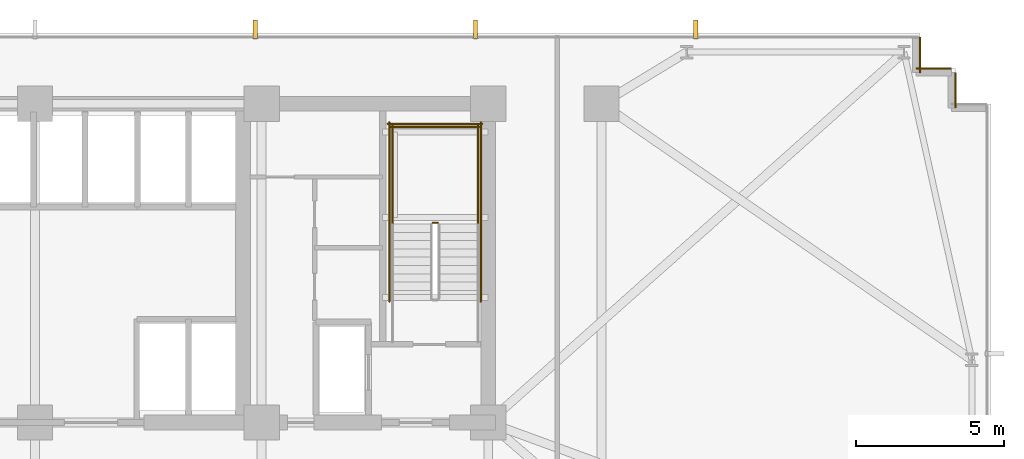
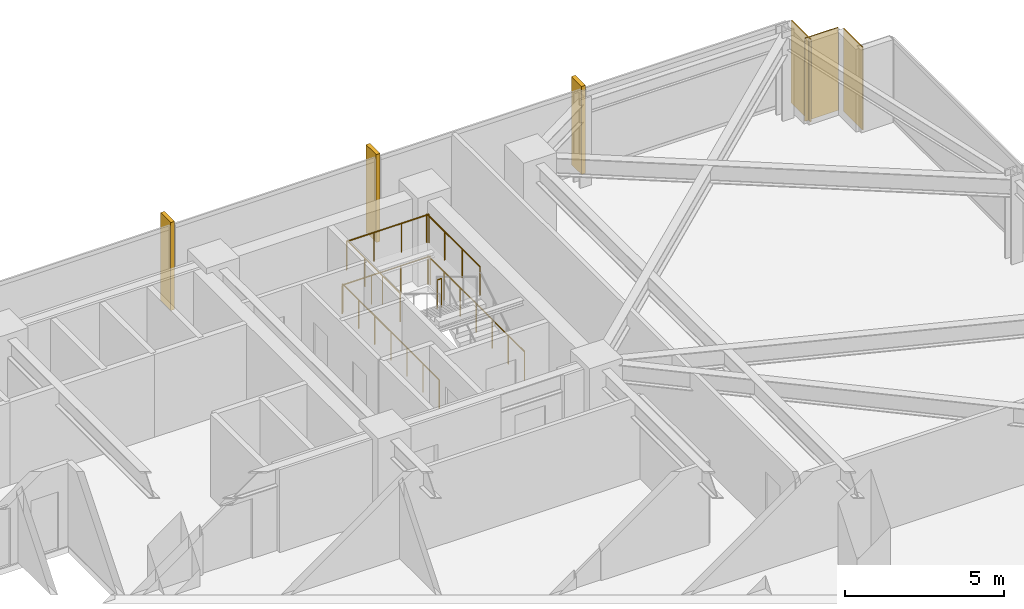
# One storey, part 31 of 32: 7 railings, 3 coverings, 3 shading devices.
"""IFC4 building model written with IfcOpenShell, lengths in metres."""

from ifc_helpers import new_model, si_unit, direction, frame, frame_2d, origin, origin_2d, place, context, subcontext, project, spatial, rectangle, circle, extrude, material, layer, layer_set, type_object, element, save


model = new_model("IFC4")

# Units and contexts
model_context = context("Model", 3, precision=1e-05, world=origin(), true_north=direction((0.0, 1.0)))
body_context = subcontext(model_context, "Body", "Model", "MODEL_VIEW")
ifc_project = project(units=[si_unit("LENGTHUNIT", "METRE"), si_unit("AREAUNIT", "SQUARE_METRE"), si_unit("VOLUMEUNIT", "CUBIC_METRE"), si_unit("PLANEANGLEUNIT", "RADIAN"), si_unit("MASSUNIT", "GRAM", prefix="KILO")], contexts=[model_context])

# Site, building, storey
site_placement = place(None, origin())
site = spatial("IfcSite", under=ifc_project, at=site_placement, CompositionType="ELEMENT")
building_placement = place(site_placement, origin())
building = spatial("IfcBuilding", under=site, at=building_placement, Name="Yelkora Congress Tower", CompositionType="ELEMENT")
storey_placement = place(building_placement, frame((0.0, 0.0, 61.0)))
storey = spatial("IfcBuildingStorey", under=building, at=storey_placement, Name="L15", CompositionType="ELEMENT", Elevation=61.0)

# Coverings
ifc_material_1 = material(Name="Anatolian bush-hammered limestone", Category="masonry")
ifc_layer_1 = layer(ifc_material_1, 0.0400390625)
ifc_layer_set_1 = layer_set([ifc_layer_1], Name="Anatolian bush-hammered limestone")
covering_type = type_object("IfcCoveringType", Name="COV-CLAD-SPANDREL-40", PredefinedType="CLADDING", material=ifc_layer_set_1)
for number, where, z_axis, x_axis, name in (
    (1, (68.39501953125, 48.4599609375, 0.0), (0.0, 0.0, 1.0), (0.0, -1.0, 0.0), "L15 Anatolian Limestone Cladding EW-L15-SR11"),
    (2, (68.260009765625, 47.39501953125, 0.0), (0.0, 0.0, 1.0), (1.0, 0.0, 0.0), "L15 Anatolian Limestone Cladding EW-L15-SR12"),
    (3, (69.594970703125, 47.260009765625, 0.0), (0.0, 0.0, 1.0), (0.0, -1.0, 0.0), "L15 Anatolian Limestone Cladding EW-L15-SR13"),
):
    element("IfcCovering", number, at=place(storey_placement, frame(where, z_axis=z_axis, x_axis=x_axis)), inside=storey, type_object=covering_type, Name=name, PredefinedType="CLADDING", context=body_context, shape_type="SweptSolid", body=[
        extrude(rectangle(XDim=1.199951171875, YDim=0.0400390625, at=frame_2d((0.60009765625, 0.0))), origin(), (0.0, 0.0, 1.0), 3.179931640625),
    ])

# Railings
ifc_material_2 = material(Name="Painted galvanised steel stair well guard with vertical infill", Category="steel")
ifc_layer_2 = layer(ifc_material_2, 0.06005859375)
ifc_layer_set_2 = layer_set([ifc_layer_2], Name="Painted galvanised steel stair well guard with vertical infill")
railing_type = type_object("IfcRailingType", Name="RAIL-STAIR-GUARD-1120", PredefinedType="GUARDRAIL", material=ifc_layer_set_2)
railing_1_placement = place(storey_placement, frame((52.0400390625, 42.169921875, 1.699951171875)))
element("IfcRailing", 4, at=railing_1_placement, inside=storey, type_object=railing_type, Name="ST-02 L15 Stair Well Guardrail 2", PredefinedType="GUARDRAIL", context=body_context, shape_type="SweptSolid", body=[
    extrude(circle(Radius=0.02392578125, at=origin_2d()), frame((0.0, 0.0, 1.09619140625), z_axis=(-1.0, 0.0, 0.0), x_axis=(0.0, -1.0, 0.0)), (0.0, 0.0, 1.0), 0.16015625),
    extrude(circle(Radius=0.02099609375, at=origin_2d()), origin(), (0.0, 0.0, 1.0), 1.072021484375),
    extrude(circle(Radius=0.02099609375, at=origin_2d()), frame((-0.16015625, 0.0, 0.0)), (0.0, 0.0, 1.0), 1.072021484375),
])
for number, where, name in (
    (5, (53.409912109375, 42.1201171875, 1.699951171875), "ST-02 L15 Stair Well Guardrail 3"),
    (6, (50.510009765625, 42.1201171875, 1.699951171875), "ST-02 L15 Stair Well Guardrail 4"),
):
    element("IfcRailing", number, at=place(storey_placement, frame(where)), inside=storey, type_object=railing_type, Name=name, PredefinedType="GUARDRAIL", context=body_context, shape_type="SweptSolid", body=[
        extrude(circle(Radius=0.02392578125, at=origin_2d()), frame((0.0, 0.0, 1.09619140625), z_axis=(0.0, 1.0, 0.0), x_axis=(-1.0, 0.0, 0.0)), (0.0, 0.0, 1.0), 3.349853515625),
        extrude(circle(Radius=0.02099609375, at=origin_2d()), origin(), (0.0, 0.0, 1.0), 1.072021484375),
        extrude(circle(Radius=0.02099609375, at=origin_2d()), frame((0.0, 1.11669921875, 0.0)), (0.0, 0.0, 1.0), 1.072021484375),
        extrude(circle(Radius=0.02099609375, at=origin_2d()), frame((0.0, 2.233154296875, 0.0)), (0.0, 0.0, 1.0), 1.072021484375),
        extrude(circle(Radius=0.02099609375, at=origin_2d()), frame((0.0, 3.349853515625, 0.0)), (0.0, 0.0, 1.0), 1.072021484375),
    ])
railing_2_placement = place(storey_placement, frame((53.4599609375, 45.419921875, 1.699951171875)))
element("IfcRailing", 7, at=railing_2_placement, inside=storey, type_object=railing_type, Name="ST-02 L15 Stair Well Guardrail 5", PredefinedType="GUARDRAIL", context=body_context, shape_type="SweptSolid", body=[
    extrude(circle(Radius=0.02392578125, at=origin_2d()), frame((0.0, 0.0, 1.09619140625), z_axis=(-1.0, 0.0, 0.0), x_axis=(0.0, -1.0, 0.0)), (0.0, 0.0, 1.0), 3.0),
    extrude(circle(Radius=0.02099609375, at=origin_2d()), origin(), (0.0, 0.0, 1.0), 1.072021484375),
    extrude(circle(Radius=0.02099609375, at=origin_2d()), frame((-1.0, 0.0, 0.0)), (0.0, 0.0, 1.0), 1.072021484375),
    extrude(circle(Radius=0.02099609375, at=origin_2d()), frame((-2.0, 0.0, 0.0)), (0.0, 0.0, 1.0), 1.072021484375),
    extrude(circle(Radius=0.02099609375, at=origin_2d()), frame((-3.0, 0.0, 0.0)), (0.0, 0.0, 1.0), 1.072021484375),
])
for number, where, name in (
    (8, (53.510009765625, 39.5, 0.0), "ST-02 L15 Stair Well Guardrail 10"),
    (9, (50.409912109375, 39.5, 0.0), "ST-02 L15 Stair Well Guardrail 11"),
):
    element("IfcRailing", number, at=place(storey_placement, frame(where)), inside=storey, type_object=railing_type, Name=name, PredefinedType="GUARDRAIL", context=body_context, shape_type="SweptSolid", body=[
        extrude(circle(Radius=0.02392578125, at=origin_2d()), frame((0.0, 0.0, 1.09619140625), z_axis=(0.0, 1.0, 0.0), x_axis=(-1.0, 0.0, 0.0)), (0.0, 0.0, 1.0), 6.070068359375),
        extrude(circle(Radius=0.02099609375, at=origin_2d()), origin(), (0.0, 0.0, 1.0), 1.072021484375),
        extrude(circle(Radius=0.02099609375, at=origin_2d()), frame((0.0, 1.01171875, 0.0)), (0.0, 0.0, 1.0), 1.072021484375),
        extrude(circle(Radius=0.02099609375, at=origin_2d()), frame((0.0, 2.0234375, 0.0)), (0.0, 0.0, 1.0), 1.072021484375),
        extrude(circle(Radius=0.02099609375, at=origin_2d()), frame((0.0, 3.03515625, 0.0)), (0.0, 0.0, 1.0), 1.072021484375),
        extrude(circle(Radius=0.02099609375, at=origin_2d()), frame((0.0, 4.046630859375, 0.0)), (0.0, 0.0, 1.0), 1.072021484375),
        extrude(circle(Radius=0.02099609375, at=origin_2d()), frame((0.0, 5.058349609375, 0.0)), (0.0, 0.0, 1.0), 1.072021484375),
        extrude(circle(Radius=0.02099609375, at=origin_2d()), frame((0.0, 6.070068359375, 0.0)), (0.0, 0.0, 1.0), 1.072021484375),
    ])
railing_3_placement = place(storey_placement, frame((53.56005859375, 45.52001953125, 0.0)))
element("IfcRailing", 10, at=railing_3_placement, inside=storey, type_object=railing_type, Name="ST-02 L15 Stair Well Guardrail 12", PredefinedType="GUARDRAIL", context=body_context, shape_type="SweptSolid", body=[
    extrude(circle(Radius=0.02392578125, at=origin_2d()), frame((0.0, 0.0, 1.09619140625), z_axis=(-1.0, 0.0, 0.0), x_axis=(0.0, -1.0, 0.0)), (0.0, 0.0, 1.0), 3.199951171875),
    extrude(circle(Radius=0.02099609375, at=origin_2d()), origin(), (0.0, 0.0, 1.0), 1.072021484375),
    extrude(circle(Radius=0.02099609375, at=origin_2d()), frame((-1.066650390625, 0.0, 0.0)), (0.0, 0.0, 1.0), 1.072021484375),
    extrude(circle(Radius=0.02099609375, at=origin_2d()), frame((-2.13330078125, 0.0, 0.0)), (0.0, 0.0, 1.0), 1.072021484375),
    extrude(circle(Radius=0.02099609375, at=origin_2d()), frame((-3.199951171875, 0.0, 0.0)), (0.0, 0.0, 1.0), 1.072021484375),
])

# Shading devices
ifc_material_3 = material(Name="Champagne anodised aluminium", Category="aluminium")
ifc_layer_3 = layer(ifc_material_3, 3.39990234375)
ifc_layer_set_3 = layer_set([ifc_layer_3], Name="Champagne anodised aluminium")
shading_device_type = type_object("IfcShadingDeviceType", Name="SHD-FIN-ALU-640", PredefinedType="USERDEFINED", material=ifc_layer_set_3)
for number, where, z_axis, x_axis, name in (
    (11, (45.864990234375, 48.719970703125, -0.030029296875), (0.0, 0.0, 1.0), (1.0, 0.0, 0.0), "L15 Vertical Anodised Solar Fin 10-5"),
    (12, (53.330078125, 48.719970703125, -0.030029296875), (0.0, 0.0, 1.0), (1.0, 0.0, 0.0), "L15 Vertical Anodised Solar Fin 10-6"),
    (13, (60.794921875, 48.719970703125, -0.030029296875), (0.0, 0.0, 1.0), (1.0, 0.0, 0.0), "L15 Vertical Anodised Solar Fin 10-7"),
):
    element("IfcShadingDevice", number, at=place(storey_placement, frame(where, z_axis=z_axis, x_axis=x_axis)), inside=storey, type_object=shading_device_type, Name=name, ObjectType="FIN", PredefinedType="USERDEFINED", context=body_context, shape_type="SweptSolid", body=[
        extrude(rectangle(XDim=0.139892578125, YDim=0.639892578125, at=origin_2d()), origin(), (0.0, 0.0, 1.0), 3.3798828125),
    ])

save(model, "model.ifc")
